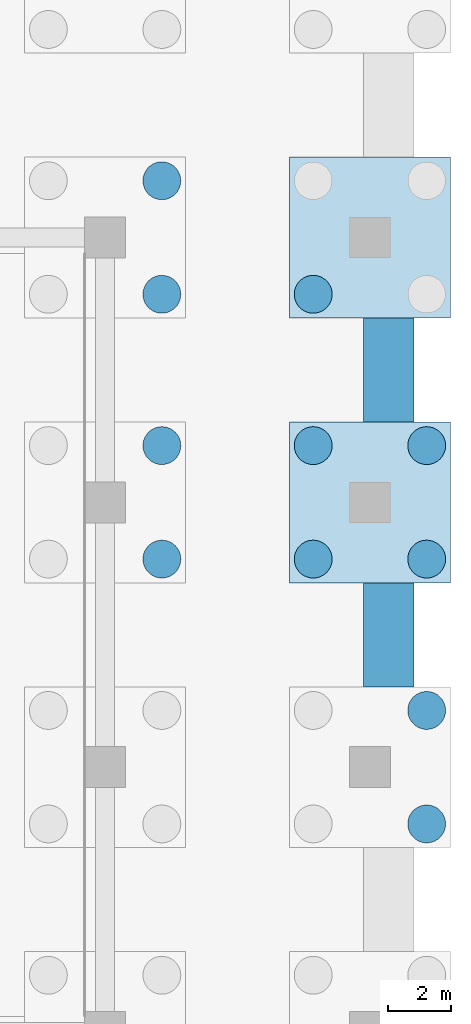
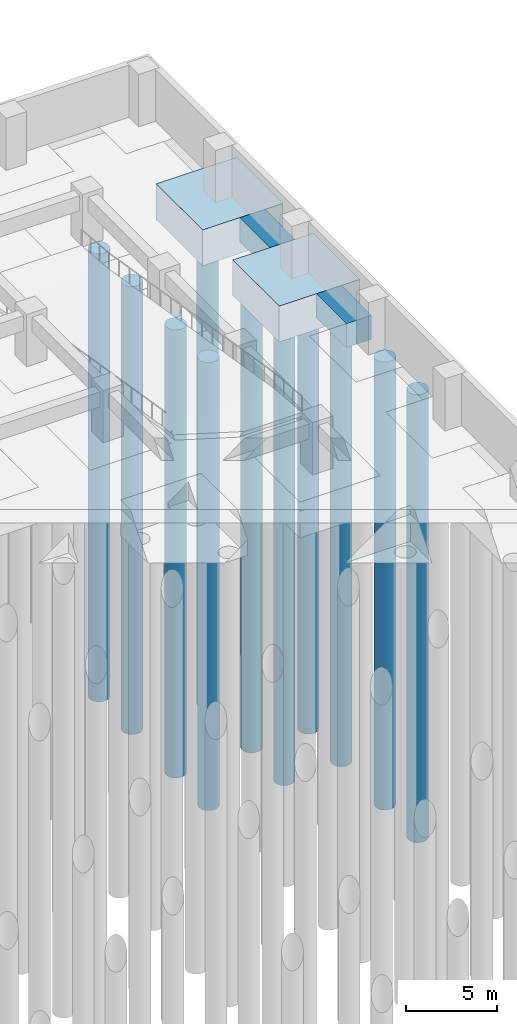
# One storey, part 46 of 73: 11 piles, 4 footings.
"""IFC4 building model written with IfcOpenShell, lengths in metres."""

from ifc_helpers import new_model, si_unit, direction, frame, origin, origin_2d, place, context, subcontext, project, spatial, polyline, circle, outline, extrude, material, material_profile, profile_set, type_object, element, save


model = new_model("IFC4")

# Units and contexts
model_context = context("Model", 3, precision=1e-05, world=origin(), true_north=direction((0.0, 1.0)))
body_context = subcontext(model_context, "Body", "Model", "MODEL_VIEW")
ifc_project = project(units=[si_unit("LENGTHUNIT", "METRE"), si_unit("AREAUNIT", "SQUARE_METRE"), si_unit("VOLUMEUNIT", "CUBIC_METRE"), si_unit("PLANEANGLEUNIT", "RADIAN"), si_unit("MASSUNIT", "GRAM", prefix="KILO")], contexts=[model_context])

# Site, building, storey
site_placement = place(None, origin())
site = spatial("IfcSite", under=ifc_project, at=site_placement, CompositionType="ELEMENT")
building_placement = place(site_placement, origin())
building = spatial("IfcBuilding", under=site, at=building_placement, Name="Impinga Residences", CompositionType="ELEMENT")
storey_placement = place(building_placement, frame((0.0, 0.0, -10.5)))
storey = spatial("IfcBuildingStorey", under=building, at=storey_placement, Name="B3", CompositionType="ELEMENT", Elevation=-10.5)

# Piles
ifc_material_1 = material(Name="Concrete C35/45", Category="concrete")
ifc_material_profile = material_profile(ifc_material_1, circle(Radius=0.60009765625, at=origin_2d()), Name="D1200")
ifc_profile_set = profile_set([ifc_material_profile], Name="Concrete C35/45")
pile_type = type_object("IfcPileType", Name="BP2 bored pile D1200", PredefinedType="BORED", material=ifc_profile_set)
pile_1_placement = place(storey_placement, frame((43.800048828125, 31.800048828125, -2.39990234375), z_axis=(0.0, 0.0, -1.0), x_axis=(1.0, 0.0, 0.0)))
element("IfcPile", 1, at=pile_1_placement, inside=storey, type_object=pile_type, Name="Cap pile BP2 12/K-2", PredefinedType="BORED", context=body_context, shape_type="SweptSolid", body=[
    extrude(outline(polyline([(0.60009765625, 0.0), (0.59716796875, 0.058837890625), (0.58837890625, 0.116943359375), (0.57421875, 0.174072265625), (0.554443359375, 0.2294921875), (0.529052734375, 0.282958984375), (0.498779296875, 0.333251953125), (0.4638671875, 0.380615234375), (0.42431640625, 0.42431640625), (0.380615234375, 0.4638671875), (0.333251953125, 0.498779296875), (0.282958984375, 0.529052734375), (0.2294921875, 0.554443359375), (0.174072265625, 0.57421875), (0.116943359375, 0.58837890625), (0.058837890625, 0.59716796875), (0.0, 0.60009765625), (-0.058837890625, 0.59716796875), (-0.116943359375, 0.58837890625), (-0.174072265625, 0.57421875), (-0.2294921875, 0.554443359375), (-0.282958984375, 0.529052734375), (-0.333251953125, 0.498779296875), (-0.380615234375, 0.4638671875), (-0.42431640625, 0.42431640625), (-0.4638671875, 0.380615234375), (-0.498779296875, 0.333251953125), (-0.529052734375, 0.282958984375), (-0.554443359375, 0.2294921875), (-0.57421875, 0.174072265625), (-0.58837890625, 0.116943359375), (-0.59716796875, 0.058837890625), (-0.60009765625, 0.0), (-0.59716796875, -0.058837890625), (-0.58837890625, -0.116943359375), (-0.57421875, -0.174072265625), (-0.554443359375, -0.2294921875), (-0.529052734375, -0.282958984375), (-0.498779296875, -0.333251953125), (-0.4638671875, -0.380615234375), (-0.42431640625, -0.42431640625), (-0.380615234375, -0.4638671875), (-0.333251953125, -0.498779296875), (-0.282958984375, -0.529052734375), (-0.2294921875, -0.554443359375), (-0.174072265625, -0.57421875), (-0.116943359375, -0.58837890625), (-0.058837890625, -0.59716796875), (0.0, -0.60009765625), (0.058837890625, -0.59716796875), (0.116943359375, -0.58837890625), (0.174072265625, -0.57421875), (0.2294921875, -0.554443359375), (0.282958984375, -0.529052734375), (0.333251953125, -0.498779296875), (0.380615234375, -0.4638671875), (0.42431640625, -0.42431640625), (0.4638671875, -0.380615234375), (0.498779296875, -0.333251953125), (0.529052734375, -0.282958984375), (0.554443359375, -0.2294921875), (0.57421875, -0.174072265625), (0.58837890625, -0.116943359375), (0.59716796875, -0.058837890625), (0.60009765625, 0.0)])), origin(), (0.0, 0.0, 1.0), 30.0),
])
pile_2_placement = place(storey_placement, frame((43.800048828125, 35.39990234375, -2.39990234375), z_axis=(0.0, 0.0, -1.0), x_axis=(1.0, 0.0, 0.0)))
element("IfcPile", 2, at=pile_2_placement, inside=storey, type_object=pile_type, Name="Cap pile BP2 12/K-3", PredefinedType="BORED", context=body_context, shape_type="SweptSolid", body=[
    extrude(outline(polyline([(0.60009765625, 0.0), (0.59716796875, 0.058837890625), (0.58837890625, 0.116943359375), (0.57421875, 0.174072265625), (0.554443359375, 0.2294921875), (0.529052734375, 0.282958984375), (0.498779296875, 0.333251953125), (0.4638671875, 0.380615234375), (0.42431640625, 0.42431640625), (0.380615234375, 0.4638671875), (0.333251953125, 0.498779296875), (0.282958984375, 0.529052734375), (0.2294921875, 0.554443359375), (0.174072265625, 0.57421875), (0.116943359375, 0.58837890625), (0.058837890625, 0.59716796875), (0.0, 0.60009765625), (-0.058837890625, 0.59716796875), (-0.116943359375, 0.58837890625), (-0.174072265625, 0.57421875), (-0.2294921875, 0.554443359375), (-0.282958984375, 0.529052734375), (-0.333251953125, 0.498779296875), (-0.380615234375, 0.4638671875), (-0.42431640625, 0.42431640625), (-0.4638671875, 0.380615234375), (-0.498779296875, 0.333251953125), (-0.529052734375, 0.282958984375), (-0.554443359375, 0.2294921875), (-0.57421875, 0.174072265625), (-0.58837890625, 0.116943359375), (-0.59716796875, 0.058837890625), (-0.60009765625, 0.0), (-0.59716796875, -0.058837890625), (-0.58837890625, -0.116943359375), (-0.57421875, -0.174072265625), (-0.554443359375, -0.2294921875), (-0.529052734375, -0.282958984375), (-0.498779296875, -0.333251953125), (-0.4638671875, -0.380615234375), (-0.42431640625, -0.42431640625), (-0.380615234375, -0.4638671875), (-0.333251953125, -0.498779296875), (-0.282958984375, -0.529052734375), (-0.2294921875, -0.554443359375), (-0.174072265625, -0.57421875), (-0.116943359375, -0.58837890625), (-0.058837890625, -0.59716796875), (0.0, -0.60009765625), (0.058837890625, -0.59716796875), (0.116943359375, -0.58837890625), (0.174072265625, -0.57421875), (0.2294921875, -0.554443359375), (0.282958984375, -0.529052734375), (0.333251953125, -0.498779296875), (0.380615234375, -0.4638671875), (0.42431640625, -0.42431640625), (0.4638671875, -0.380615234375), (0.498779296875, -0.333251953125), (0.529052734375, -0.282958984375), (0.554443359375, -0.2294921875), (0.57421875, -0.174072265625), (0.58837890625, -0.116943359375), (0.59716796875, -0.058837890625), (0.60009765625, 0.0)])), origin(), (0.0, 0.0, 1.0), 30.0),
])
pile_3_placement = place(storey_placement, frame((43.800048828125, 40.199951171875, -2.39990234375), z_axis=(0.0, 0.0, -1.0), x_axis=(1.0, 0.0, 0.0)))
element("IfcPile", 3, at=pile_3_placement, inside=storey, type_object=pile_type, Name="Cap pile BP2 12/L-2", PredefinedType="BORED", context=body_context, shape_type="SweptSolid", body=[
    extrude(outline(polyline([(0.60009765625, 0.0), (0.59716796875, 0.058837890625), (0.58837890625, 0.116943359375), (0.57421875, 0.174072265625), (0.554443359375, 0.2294921875), (0.529052734375, 0.282958984375), (0.498779296875, 0.333251953125), (0.4638671875, 0.380615234375), (0.42431640625, 0.42431640625), (0.380615234375, 0.4638671875), (0.333251953125, 0.498779296875), (0.282958984375, 0.529052734375), (0.2294921875, 0.554443359375), (0.174072265625, 0.57421875), (0.116943359375, 0.58837890625), (0.058837890625, 0.59716796875), (0.0, 0.60009765625), (-0.058837890625, 0.59716796875), (-0.116943359375, 0.58837890625), (-0.174072265625, 0.57421875), (-0.2294921875, 0.554443359375), (-0.282958984375, 0.529052734375), (-0.333251953125, 0.498779296875), (-0.380615234375, 0.4638671875), (-0.42431640625, 0.42431640625), (-0.4638671875, 0.380615234375), (-0.498779296875, 0.333251953125), (-0.529052734375, 0.282958984375), (-0.554443359375, 0.2294921875), (-0.57421875, 0.174072265625), (-0.58837890625, 0.116943359375), (-0.59716796875, 0.058837890625), (-0.60009765625, 0.0), (-0.59716796875, -0.058837890625), (-0.58837890625, -0.116943359375), (-0.57421875, -0.174072265625), (-0.554443359375, -0.2294921875), (-0.529052734375, -0.282958984375), (-0.498779296875, -0.333251953125), (-0.4638671875, -0.380615234375), (-0.42431640625, -0.42431640625), (-0.380615234375, -0.4638671875), (-0.333251953125, -0.498779296875), (-0.282958984375, -0.529052734375), (-0.2294921875, -0.554443359375), (-0.174072265625, -0.57421875), (-0.116943359375, -0.58837890625), (-0.058837890625, -0.59716796875), (0.0, -0.60009765625), (0.058837890625, -0.59716796875), (0.116943359375, -0.58837890625), (0.174072265625, -0.57421875), (0.2294921875, -0.554443359375), (0.282958984375, -0.529052734375), (0.333251953125, -0.498779296875), (0.380615234375, -0.4638671875), (0.42431640625, -0.42431640625), (0.4638671875, -0.380615234375), (0.498779296875, -0.333251953125), (0.529052734375, -0.282958984375), (0.554443359375, -0.2294921875), (0.57421875, -0.174072265625), (0.58837890625, -0.116943359375), (0.59716796875, -0.058837890625), (0.60009765625, 0.0)])), origin(), (0.0, 0.0, 1.0), 30.0),
])
pile_4_placement = place(storey_placement, frame((43.800048828125, 43.800048828125, -2.39990234375), z_axis=(0.0, 0.0, -1.0), x_axis=(1.0, 0.0, 0.0)))
element("IfcPile", 4, at=pile_4_placement, inside=storey, type_object=pile_type, Name="Cap pile BP2 12/L-3", PredefinedType="BORED", context=body_context, shape_type="SweptSolid", body=[
    extrude(outline(polyline([(0.60009765625, 0.0), (0.59716796875, 0.058837890625), (0.58837890625, 0.116943359375), (0.57421875, 0.174072265625), (0.554443359375, 0.2294921875), (0.529052734375, 0.282958984375), (0.498779296875, 0.333251953125), (0.4638671875, 0.380615234375), (0.42431640625, 0.42431640625), (0.380615234375, 0.4638671875), (0.333251953125, 0.498779296875), (0.282958984375, 0.529052734375), (0.2294921875, 0.554443359375), (0.174072265625, 0.57421875), (0.116943359375, 0.58837890625), (0.058837890625, 0.59716796875), (0.0, 0.60009765625), (-0.058837890625, 0.59716796875), (-0.116943359375, 0.58837890625), (-0.174072265625, 0.57421875), (-0.2294921875, 0.554443359375), (-0.282958984375, 0.529052734375), (-0.333251953125, 0.498779296875), (-0.380615234375, 0.4638671875), (-0.42431640625, 0.42431640625), (-0.4638671875, 0.380615234375), (-0.498779296875, 0.333251953125), (-0.529052734375, 0.282958984375), (-0.554443359375, 0.2294921875), (-0.57421875, 0.174072265625), (-0.58837890625, 0.116943359375), (-0.59716796875, 0.058837890625), (-0.60009765625, 0.0), (-0.59716796875, -0.058837890625), (-0.58837890625, -0.116943359375), (-0.57421875, -0.174072265625), (-0.554443359375, -0.2294921875), (-0.529052734375, -0.282958984375), (-0.498779296875, -0.333251953125), (-0.4638671875, -0.380615234375), (-0.42431640625, -0.42431640625), (-0.380615234375, -0.4638671875), (-0.333251953125, -0.498779296875), (-0.282958984375, -0.529052734375), (-0.2294921875, -0.554443359375), (-0.174072265625, -0.57421875), (-0.116943359375, -0.58837890625), (-0.058837890625, -0.59716796875), (0.0, -0.60009765625), (0.058837890625, -0.59716796875), (0.116943359375, -0.58837890625), (0.174072265625, -0.57421875), (0.2294921875, -0.554443359375), (0.282958984375, -0.529052734375), (0.333251953125, -0.498779296875), (0.380615234375, -0.4638671875), (0.42431640625, -0.42431640625), (0.4638671875, -0.380615234375), (0.498779296875, -0.333251953125), (0.529052734375, -0.282958984375), (0.554443359375, -0.2294921875), (0.57421875, -0.174072265625), (0.58837890625, -0.116943359375), (0.59716796875, -0.058837890625), (0.60009765625, 0.0)])), origin(), (0.0, 0.0, 1.0), 30.0),
])
pile_5_placement = place(storey_placement, frame((52.199951171875, 23.39990234375, -2.39990234375), z_axis=(0.0, 0.0, -1.0), x_axis=(1.0, 0.0, 0.0)))
element("IfcPile", 5, at=pile_5_placement, inside=storey, type_object=pile_type, Name="Cap pile BP2 13/J-2", PredefinedType="BORED", context=body_context, shape_type="SweptSolid", body=[
    extrude(outline(polyline([(0.60009765625, 0.0), (0.59716796875, 0.058837890625), (0.58837890625, 0.116943359375), (0.57421875, 0.174072265625), (0.554443359375, 0.2294921875), (0.529052734375, 0.282958984375), (0.498779296875, 0.333251953125), (0.4638671875, 0.380615234375), (0.42431640625, 0.42431640625), (0.380615234375, 0.4638671875), (0.333251953125, 0.498779296875), (0.282958984375, 0.529052734375), (0.2294921875, 0.554443359375), (0.174072265625, 0.57421875), (0.116943359375, 0.58837890625), (0.058837890625, 0.59716796875), (0.0, 0.60009765625), (-0.058837890625, 0.59716796875), (-0.116943359375, 0.58837890625), (-0.174072265625, 0.57421875), (-0.2294921875, 0.554443359375), (-0.282958984375, 0.529052734375), (-0.333251953125, 0.498779296875), (-0.380615234375, 0.4638671875), (-0.42431640625, 0.42431640625), (-0.4638671875, 0.380615234375), (-0.498779296875, 0.333251953125), (-0.529052734375, 0.282958984375), (-0.554443359375, 0.2294921875), (-0.57421875, 0.174072265625), (-0.58837890625, 0.116943359375), (-0.59716796875, 0.058837890625), (-0.60009765625, 0.0), (-0.59716796875, -0.058837890625), (-0.58837890625, -0.116943359375), (-0.57421875, -0.174072265625), (-0.554443359375, -0.2294921875), (-0.529052734375, -0.282958984375), (-0.498779296875, -0.333251953125), (-0.4638671875, -0.380615234375), (-0.42431640625, -0.42431640625), (-0.380615234375, -0.4638671875), (-0.333251953125, -0.498779296875), (-0.282958984375, -0.529052734375), (-0.2294921875, -0.554443359375), (-0.174072265625, -0.57421875), (-0.116943359375, -0.58837890625), (-0.058837890625, -0.59716796875), (0.0, -0.60009765625), (0.058837890625, -0.59716796875), (0.116943359375, -0.58837890625), (0.174072265625, -0.57421875), (0.2294921875, -0.554443359375), (0.282958984375, -0.529052734375), (0.333251953125, -0.498779296875), (0.380615234375, -0.4638671875), (0.42431640625, -0.42431640625), (0.4638671875, -0.380615234375), (0.498779296875, -0.333251953125), (0.529052734375, -0.282958984375), (0.554443359375, -0.2294921875), (0.57421875, -0.174072265625), (0.58837890625, -0.116943359375), (0.59716796875, -0.058837890625), (0.60009765625, 0.0)])), origin(), (0.0, 0.0, 1.0), 30.0),
])
pile_6_placement = place(storey_placement, frame((52.199951171875, 27.0, -2.39990234375), z_axis=(0.0, 0.0, -1.0), x_axis=(1.0, 0.0, 0.0)))
element("IfcPile", 6, at=pile_6_placement, inside=storey, type_object=pile_type, Name="Cap pile BP2 13/J-3", PredefinedType="BORED", context=body_context, shape_type="SweptSolid", body=[
    extrude(outline(polyline([(0.60009765625, 0.0), (0.59716796875, 0.058837890625), (0.58837890625, 0.116943359375), (0.57421875, 0.174072265625), (0.554443359375, 0.2294921875), (0.529052734375, 0.282958984375), (0.498779296875, 0.333251953125), (0.4638671875, 0.380615234375), (0.42431640625, 0.42431640625), (0.380615234375, 0.4638671875), (0.333251953125, 0.498779296875), (0.282958984375, 0.529052734375), (0.2294921875, 0.554443359375), (0.174072265625, 0.57421875), (0.116943359375, 0.58837890625), (0.058837890625, 0.59716796875), (0.0, 0.60009765625), (-0.058837890625, 0.59716796875), (-0.116943359375, 0.58837890625), (-0.174072265625, 0.57421875), (-0.2294921875, 0.554443359375), (-0.282958984375, 0.529052734375), (-0.333251953125, 0.498779296875), (-0.380615234375, 0.4638671875), (-0.42431640625, 0.42431640625), (-0.4638671875, 0.380615234375), (-0.498779296875, 0.333251953125), (-0.529052734375, 0.282958984375), (-0.554443359375, 0.2294921875), (-0.57421875, 0.174072265625), (-0.58837890625, 0.116943359375), (-0.59716796875, 0.058837890625), (-0.60009765625, 0.0), (-0.59716796875, -0.058837890625), (-0.58837890625, -0.116943359375), (-0.57421875, -0.174072265625), (-0.554443359375, -0.2294921875), (-0.529052734375, -0.282958984375), (-0.498779296875, -0.333251953125), (-0.4638671875, -0.380615234375), (-0.42431640625, -0.42431640625), (-0.380615234375, -0.4638671875), (-0.333251953125, -0.498779296875), (-0.282958984375, -0.529052734375), (-0.2294921875, -0.554443359375), (-0.174072265625, -0.57421875), (-0.116943359375, -0.58837890625), (-0.058837890625, -0.59716796875), (0.0, -0.60009765625), (0.058837890625, -0.59716796875), (0.116943359375, -0.58837890625), (0.174072265625, -0.57421875), (0.2294921875, -0.554443359375), (0.282958984375, -0.529052734375), (0.333251953125, -0.498779296875), (0.380615234375, -0.4638671875), (0.42431640625, -0.42431640625), (0.4638671875, -0.380615234375), (0.498779296875, -0.333251953125), (0.529052734375, -0.282958984375), (0.554443359375, -0.2294921875), (0.57421875, -0.174072265625), (0.58837890625, -0.116943359375), (0.59716796875, -0.058837890625), (0.60009765625, 0.0)])), origin(), (0.0, 0.0, 1.0), 30.0),
])
pile_7_placement = place(storey_placement, frame((48.60009765625, 31.800048828125, -2.39990234375), z_axis=(0.0, 0.0, -1.0), x_axis=(1.0, 0.0, 0.0)))
element("IfcPile", 7, at=pile_7_placement, inside=storey, type_object=pile_type, Name="Cap pile BP2 13/K-1", PredefinedType="BORED", context=body_context, shape_type="SweptSolid", body=[
    extrude(outline(polyline([(0.60009765625, 0.0), (0.59716796875, 0.058837890625), (0.58837890625, 0.116943359375), (0.57421875, 0.174072265625), (0.554443359375, 0.2294921875), (0.529052734375, 0.282958984375), (0.498779296875, 0.333251953125), (0.4638671875, 0.380615234375), (0.42431640625, 0.42431640625), (0.380615234375, 0.4638671875), (0.333251953125, 0.498779296875), (0.282958984375, 0.529052734375), (0.2294921875, 0.554443359375), (0.174072265625, 0.57421875), (0.116943359375, 0.58837890625), (0.058837890625, 0.59716796875), (0.0, 0.60009765625), (-0.058837890625, 0.59716796875), (-0.116943359375, 0.58837890625), (-0.174072265625, 0.57421875), (-0.2294921875, 0.554443359375), (-0.282958984375, 0.529052734375), (-0.333251953125, 0.498779296875), (-0.380615234375, 0.4638671875), (-0.42431640625, 0.42431640625), (-0.4638671875, 0.380615234375), (-0.498779296875, 0.333251953125), (-0.529052734375, 0.282958984375), (-0.554443359375, 0.2294921875), (-0.57421875, 0.174072265625), (-0.58837890625, 0.116943359375), (-0.59716796875, 0.058837890625), (-0.60009765625, 0.0), (-0.59716796875, -0.058837890625), (-0.58837890625, -0.116943359375), (-0.57421875, -0.174072265625), (-0.554443359375, -0.2294921875), (-0.529052734375, -0.282958984375), (-0.498779296875, -0.333251953125), (-0.4638671875, -0.380615234375), (-0.42431640625, -0.42431640625), (-0.380615234375, -0.4638671875), (-0.333251953125, -0.498779296875), (-0.282958984375, -0.529052734375), (-0.2294921875, -0.554443359375), (-0.174072265625, -0.57421875), (-0.116943359375, -0.58837890625), (-0.058837890625, -0.59716796875), (0.0, -0.60009765625), (0.058837890625, -0.59716796875), (0.116943359375, -0.58837890625), (0.174072265625, -0.57421875), (0.2294921875, -0.554443359375), (0.282958984375, -0.529052734375), (0.333251953125, -0.498779296875), (0.380615234375, -0.4638671875), (0.42431640625, -0.42431640625), (0.4638671875, -0.380615234375), (0.498779296875, -0.333251953125), (0.529052734375, -0.282958984375), (0.554443359375, -0.2294921875), (0.57421875, -0.174072265625), (0.58837890625, -0.116943359375), (0.59716796875, -0.058837890625), (0.60009765625, 0.0)])), origin(), (0.0, 0.0, 1.0), 30.0),
])
pile_8_placement = place(storey_placement, frame((52.199951171875, 31.800048828125, -2.39990234375), z_axis=(0.0, 0.0, -1.0), x_axis=(1.0, 0.0, 0.0)))
element("IfcPile", 8, at=pile_8_placement, inside=storey, type_object=pile_type, Name="Cap pile BP2 13/K-2", PredefinedType="BORED", context=body_context, shape_type="SweptSolid", body=[
    extrude(outline(polyline([(0.60009765625, 0.0), (0.59716796875, 0.058837890625), (0.58837890625, 0.116943359375), (0.57421875, 0.174072265625), (0.554443359375, 0.2294921875), (0.529052734375, 0.282958984375), (0.498779296875, 0.333251953125), (0.4638671875, 0.380615234375), (0.42431640625, 0.42431640625), (0.380615234375, 0.4638671875), (0.333251953125, 0.498779296875), (0.282958984375, 0.529052734375), (0.2294921875, 0.554443359375), (0.174072265625, 0.57421875), (0.116943359375, 0.58837890625), (0.058837890625, 0.59716796875), (0.0, 0.60009765625), (-0.058837890625, 0.59716796875), (-0.116943359375, 0.58837890625), (-0.174072265625, 0.57421875), (-0.2294921875, 0.554443359375), (-0.282958984375, 0.529052734375), (-0.333251953125, 0.498779296875), (-0.380615234375, 0.4638671875), (-0.42431640625, 0.42431640625), (-0.4638671875, 0.380615234375), (-0.498779296875, 0.333251953125), (-0.529052734375, 0.282958984375), (-0.554443359375, 0.2294921875), (-0.57421875, 0.174072265625), (-0.58837890625, 0.116943359375), (-0.59716796875, 0.058837890625), (-0.60009765625, 0.0), (-0.59716796875, -0.058837890625), (-0.58837890625, -0.116943359375), (-0.57421875, -0.174072265625), (-0.554443359375, -0.2294921875), (-0.529052734375, -0.282958984375), (-0.498779296875, -0.333251953125), (-0.4638671875, -0.380615234375), (-0.42431640625, -0.42431640625), (-0.380615234375, -0.4638671875), (-0.333251953125, -0.498779296875), (-0.282958984375, -0.529052734375), (-0.2294921875, -0.554443359375), (-0.174072265625, -0.57421875), (-0.116943359375, -0.58837890625), (-0.058837890625, -0.59716796875), (0.0, -0.60009765625), (0.058837890625, -0.59716796875), (0.116943359375, -0.58837890625), (0.174072265625, -0.57421875), (0.2294921875, -0.554443359375), (0.282958984375, -0.529052734375), (0.333251953125, -0.498779296875), (0.380615234375, -0.4638671875), (0.42431640625, -0.42431640625), (0.4638671875, -0.380615234375), (0.498779296875, -0.333251953125), (0.529052734375, -0.282958984375), (0.554443359375, -0.2294921875), (0.57421875, -0.174072265625), (0.58837890625, -0.116943359375), (0.59716796875, -0.058837890625), (0.60009765625, 0.0)])), origin(), (0.0, 0.0, 1.0), 30.0),
])
pile_9_placement = place(storey_placement, frame((52.199951171875, 35.39990234375, -2.39990234375), z_axis=(0.0, 0.0, -1.0), x_axis=(1.0, 0.0, 0.0)))
element("IfcPile", 9, at=pile_9_placement, inside=storey, type_object=pile_type, Name="Cap pile BP2 13/K-3", PredefinedType="BORED", context=body_context, shape_type="SweptSolid", body=[
    extrude(outline(polyline([(0.60009765625, 0.0), (0.59716796875, 0.058837890625), (0.58837890625, 0.116943359375), (0.57421875, 0.174072265625), (0.554443359375, 0.2294921875), (0.529052734375, 0.282958984375), (0.498779296875, 0.333251953125), (0.4638671875, 0.380615234375), (0.42431640625, 0.42431640625), (0.380615234375, 0.4638671875), (0.333251953125, 0.498779296875), (0.282958984375, 0.529052734375), (0.2294921875, 0.554443359375), (0.174072265625, 0.57421875), (0.116943359375, 0.58837890625), (0.058837890625, 0.59716796875), (0.0, 0.60009765625), (-0.058837890625, 0.59716796875), (-0.116943359375, 0.58837890625), (-0.174072265625, 0.57421875), (-0.2294921875, 0.554443359375), (-0.282958984375, 0.529052734375), (-0.333251953125, 0.498779296875), (-0.380615234375, 0.4638671875), (-0.42431640625, 0.42431640625), (-0.4638671875, 0.380615234375), (-0.498779296875, 0.333251953125), (-0.529052734375, 0.282958984375), (-0.554443359375, 0.2294921875), (-0.57421875, 0.174072265625), (-0.58837890625, 0.116943359375), (-0.59716796875, 0.058837890625), (-0.60009765625, 0.0), (-0.59716796875, -0.058837890625), (-0.58837890625, -0.116943359375), (-0.57421875, -0.174072265625), (-0.554443359375, -0.2294921875), (-0.529052734375, -0.282958984375), (-0.498779296875, -0.333251953125), (-0.4638671875, -0.380615234375), (-0.42431640625, -0.42431640625), (-0.380615234375, -0.4638671875), (-0.333251953125, -0.498779296875), (-0.282958984375, -0.529052734375), (-0.2294921875, -0.554443359375), (-0.174072265625, -0.57421875), (-0.116943359375, -0.58837890625), (-0.058837890625, -0.59716796875), (0.0, -0.60009765625), (0.058837890625, -0.59716796875), (0.116943359375, -0.58837890625), (0.174072265625, -0.57421875), (0.2294921875, -0.554443359375), (0.282958984375, -0.529052734375), (0.333251953125, -0.498779296875), (0.380615234375, -0.4638671875), (0.42431640625, -0.42431640625), (0.4638671875, -0.380615234375), (0.498779296875, -0.333251953125), (0.529052734375, -0.282958984375), (0.554443359375, -0.2294921875), (0.57421875, -0.174072265625), (0.58837890625, -0.116943359375), (0.59716796875, -0.058837890625), (0.60009765625, 0.0)])), origin(), (0.0, 0.0, 1.0), 30.0),
])
pile_10_placement = place(storey_placement, frame((48.60009765625, 35.39990234375, -2.39990234375), z_axis=(0.0, 0.0, -1.0), x_axis=(1.0, 0.0, 0.0)))
element("IfcPile", 10, at=pile_10_placement, inside=storey, type_object=pile_type, Name="Cap pile BP2 13/K-4", PredefinedType="BORED", context=body_context, shape_type="SweptSolid", body=[
    extrude(outline(polyline([(0.60009765625, 0.0), (0.59716796875, 0.058837890625), (0.58837890625, 0.116943359375), (0.57421875, 0.174072265625), (0.554443359375, 0.2294921875), (0.529052734375, 0.282958984375), (0.498779296875, 0.333251953125), (0.4638671875, 0.380615234375), (0.42431640625, 0.42431640625), (0.380615234375, 0.4638671875), (0.333251953125, 0.498779296875), (0.282958984375, 0.529052734375), (0.2294921875, 0.554443359375), (0.174072265625, 0.57421875), (0.116943359375, 0.58837890625), (0.058837890625, 0.59716796875), (0.0, 0.60009765625), (-0.058837890625, 0.59716796875), (-0.116943359375, 0.58837890625), (-0.174072265625, 0.57421875), (-0.2294921875, 0.554443359375), (-0.282958984375, 0.529052734375), (-0.333251953125, 0.498779296875), (-0.380615234375, 0.4638671875), (-0.42431640625, 0.42431640625), (-0.4638671875, 0.380615234375), (-0.498779296875, 0.333251953125), (-0.529052734375, 0.282958984375), (-0.554443359375, 0.2294921875), (-0.57421875, 0.174072265625), (-0.58837890625, 0.116943359375), (-0.59716796875, 0.058837890625), (-0.60009765625, 0.0), (-0.59716796875, -0.058837890625), (-0.58837890625, -0.116943359375), (-0.57421875, -0.174072265625), (-0.554443359375, -0.2294921875), (-0.529052734375, -0.282958984375), (-0.498779296875, -0.333251953125), (-0.4638671875, -0.380615234375), (-0.42431640625, -0.42431640625), (-0.380615234375, -0.4638671875), (-0.333251953125, -0.498779296875), (-0.282958984375, -0.529052734375), (-0.2294921875, -0.554443359375), (-0.174072265625, -0.57421875), (-0.116943359375, -0.58837890625), (-0.058837890625, -0.59716796875), (0.0, -0.60009765625), (0.058837890625, -0.59716796875), (0.116943359375, -0.58837890625), (0.174072265625, -0.57421875), (0.2294921875, -0.554443359375), (0.282958984375, -0.529052734375), (0.333251953125, -0.498779296875), (0.380615234375, -0.4638671875), (0.42431640625, -0.42431640625), (0.4638671875, -0.380615234375), (0.498779296875, -0.333251953125), (0.529052734375, -0.282958984375), (0.554443359375, -0.2294921875), (0.57421875, -0.174072265625), (0.58837890625, -0.116943359375), (0.59716796875, -0.058837890625), (0.60009765625, 0.0)])), origin(), (0.0, 0.0, 1.0), 30.0),
])
pile_11_placement = place(storey_placement, frame((48.60009765625, 40.199951171875, -2.39990234375), z_axis=(0.0, 0.0, -1.0), x_axis=(1.0, 0.0, 0.0)))
element("IfcPile", 11, at=pile_11_placement, inside=storey, type_object=pile_type, Name="Cap pile BP2 13/L-1", PredefinedType="BORED", context=body_context, shape_type="SweptSolid", body=[
    extrude(outline(polyline([(0.60009765625, 0.0), (0.59716796875, 0.058837890625), (0.58837890625, 0.116943359375), (0.57421875, 0.174072265625), (0.554443359375, 0.2294921875), (0.529052734375, 0.282958984375), (0.498779296875, 0.333251953125), (0.4638671875, 0.380615234375), (0.42431640625, 0.42431640625), (0.380615234375, 0.4638671875), (0.333251953125, 0.498779296875), (0.282958984375, 0.529052734375), (0.2294921875, 0.554443359375), (0.174072265625, 0.57421875), (0.116943359375, 0.58837890625), (0.058837890625, 0.59716796875), (0.0, 0.60009765625), (-0.058837890625, 0.59716796875), (-0.116943359375, 0.58837890625), (-0.174072265625, 0.57421875), (-0.2294921875, 0.554443359375), (-0.282958984375, 0.529052734375), (-0.333251953125, 0.498779296875), (-0.380615234375, 0.4638671875), (-0.42431640625, 0.42431640625), (-0.4638671875, 0.380615234375), (-0.498779296875, 0.333251953125), (-0.529052734375, 0.282958984375), (-0.554443359375, 0.2294921875), (-0.57421875, 0.174072265625), (-0.58837890625, 0.116943359375), (-0.59716796875, 0.058837890625), (-0.60009765625, 0.0), (-0.59716796875, -0.058837890625), (-0.58837890625, -0.116943359375), (-0.57421875, -0.174072265625), (-0.554443359375, -0.2294921875), (-0.529052734375, -0.282958984375), (-0.498779296875, -0.333251953125), (-0.4638671875, -0.380615234375), (-0.42431640625, -0.42431640625), (-0.380615234375, -0.4638671875), (-0.333251953125, -0.498779296875), (-0.282958984375, -0.529052734375), (-0.2294921875, -0.554443359375), (-0.174072265625, -0.57421875), (-0.116943359375, -0.58837890625), (-0.058837890625, -0.59716796875), (0.0, -0.60009765625), (0.058837890625, -0.59716796875), (0.116943359375, -0.58837890625), (0.174072265625, -0.57421875), (0.2294921875, -0.554443359375), (0.282958984375, -0.529052734375), (0.333251953125, -0.498779296875), (0.380615234375, -0.4638671875), (0.42431640625, -0.42431640625), (0.4638671875, -0.380615234375), (0.498779296875, -0.333251953125), (0.529052734375, -0.282958984375), (0.554443359375, -0.2294921875), (0.57421875, -0.174072265625), (0.58837890625, -0.116943359375), (0.59716796875, -0.058837890625), (0.60009765625, 0.0)])), origin(), (0.0, 0.0, 1.0), 30.0),
])

# Footings
ifc_material_2 = material(Name="Concrete C45/55", Category="concrete")
footing_type_1 = type_object("IfcFootingType", Name="PC4 four-pile cap 5100 square 2400 deep", PredefinedType="PILE_CAP", material=ifc_material_2)
footing_1_placement = place(storey_placement, frame((0.0, 0.0, -2.39990234375)))
element("IfcFooting", 12, at=footing_1_placement, inside=storey, type_object=footing_type_1, Name="Pile cap PC4 13/K", PredefinedType="PILE_CAP", context=body_context, shape_type="SweptSolid", body=[
    extrude(outline(polyline([(52.949951171875, 31.050048828125), (52.949951171875, 36.14990234375), (47.85009765625, 36.14990234375), (47.85009765625, 31.050048828125), (52.949951171875, 31.050048828125)])), origin(), (0.0, 0.0, 1.0), 2.39990234375),
])
footing_2_placement = place(storey_placement, frame((0.0, 0.0, -2.39990234375)))
element("IfcFooting", 13, at=footing_2_placement, inside=storey, type_object=footing_type_1, Name="Pile cap PC4 13/L", PredefinedType="PILE_CAP", context=body_context, shape_type="SweptSolid", body=[
    extrude(outline(polyline([(52.949951171875, 39.449951171875), (52.949951171875, 44.550048828125), (47.85009765625, 44.550048828125), (47.85009765625, 39.449951171875), (52.949951171875, 39.449951171875)])), origin(), (0.0, 0.0, 1.0), 2.39990234375),
])
footing_type_2 = type_object("IfcFootingType", Name="SF1 strip footing 1600 wide 1600 deep", PredefinedType="STRIP_FOOTING", material=ifc_material_2)
footing_3_placement = place(storey_placement, frame((0.0, 0.0, -1.60009765625)))
element("IfcFooting", 14, at=footing_3_placement, inside=storey, type_object=footing_type_2, Name="Strip footing SF1 E 2", PredefinedType="STRIP_FOOTING", context=body_context, shape_type="SweptSolid", body=[
    extrude(outline(polyline([(51.800048828125, 36.14990234375), (50.199951171875, 36.14990234375), (50.199951171875, 39.449951171875), (51.800048828125, 39.449951171875), (51.800048828125, 36.14990234375)])), origin(), (0.0, 0.0, 1.0), 1.60009765625),
])
footing_4_placement = place(storey_placement, frame((0.0, 0.0, -1.60009765625)))
element("IfcFooting", 15, at=footing_4_placement, inside=storey, type_object=footing_type_2, Name="Strip footing SF1 E 3", PredefinedType="STRIP_FOOTING", context=body_context, shape_type="SweptSolid", body=[
    extrude(outline(polyline([(51.800048828125, 27.75), (50.199951171875, 27.75), (50.199951171875, 31.050048828125), (51.800048828125, 31.050048828125), (51.800048828125, 27.75)])), origin(), (0.0, 0.0, 1.0), 1.60009765625),
])

save(model, "model.ifc")
